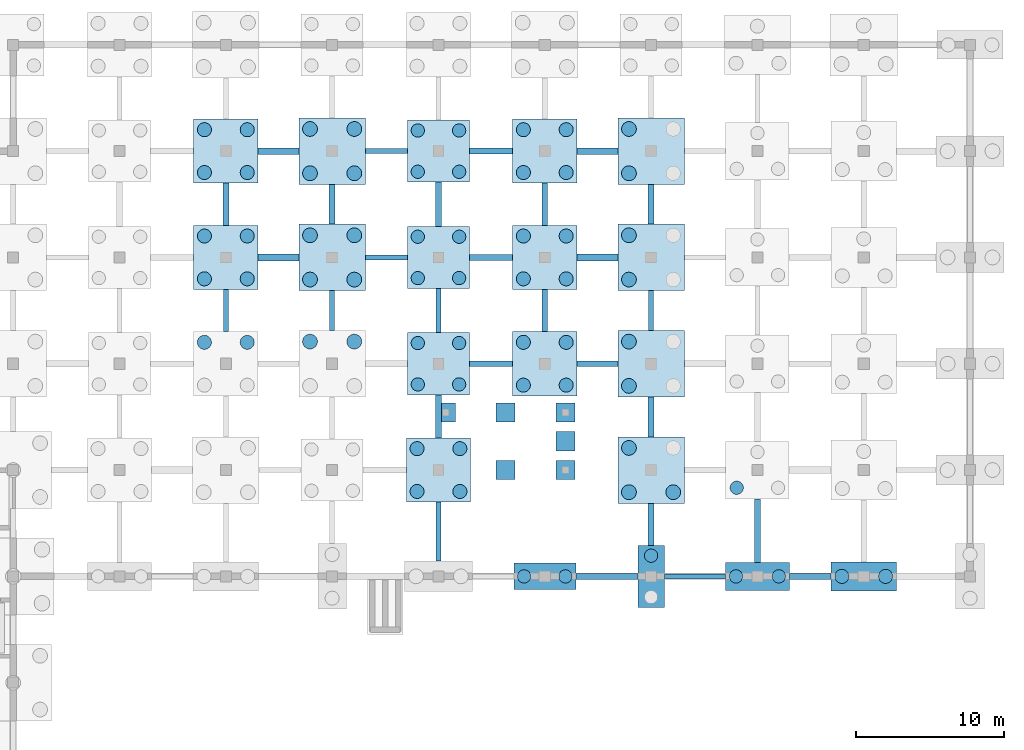
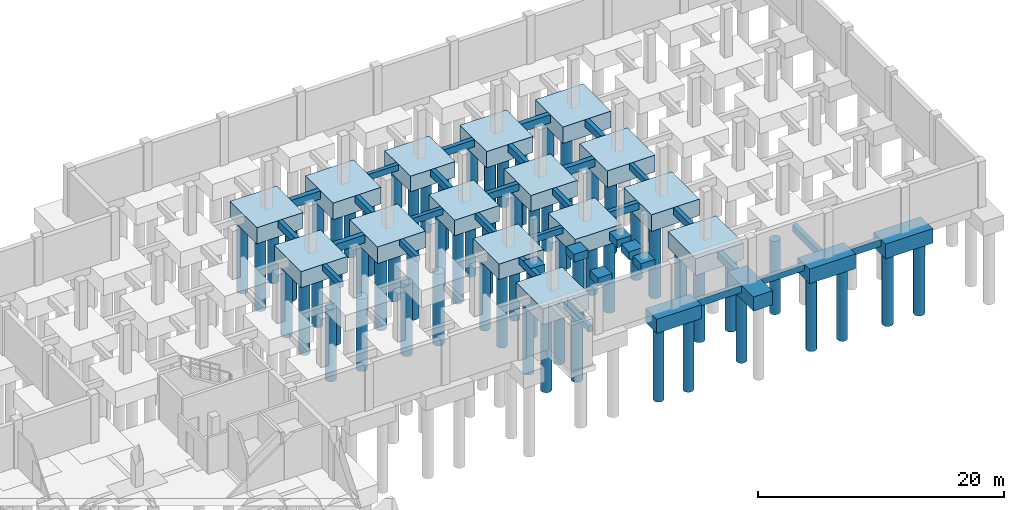
# One storey, part 14 of 35: 65 piles, 53 footings.
"""IFC4 building model written with IfcOpenShell, lengths in metres."""

from ifc_helpers import new_model, si_unit, direction, frame, origin, origin_2d, place, context, subcontext, project, spatial, rectangle, circle, extrude, material, material_profile, profile_set, type_object, element, save


model = new_model("IFC4")

# Units and contexts
model_context = context("Model", 3, precision=1e-05, world=origin(), true_north=direction((0.0, 1.0)))
body_context = subcontext(model_context, "Body", "Model", "MODEL_VIEW")
ifc_project = project(units=[si_unit("LENGTHUNIT", "METRE"), si_unit("AREAUNIT", "SQUARE_METRE"), si_unit("VOLUMEUNIT", "CUBIC_METRE"), si_unit("PLANEANGLEUNIT", "RADIAN"), si_unit("MASSUNIT", "GRAM", prefix="KILO"), si_unit("THERMODYNAMICTEMPERATUREUNIT", "KELVIN"), si_unit("POWERUNIT", "WATT")], contexts=[model_context])

# Site, building, storey
site_placement = place(None, origin())
site = spatial("IfcSite", under=ifc_project, at=site_placement, CompositionType="ELEMENT")
building_placement = place(site_placement, origin())
building = spatial("IfcBuilding", under=site, at=building_placement, Name="Kaldorven Railside Theatre", CompositionType="ELEMENT")
storey_placement = place(building_placement, frame((0.0, 0.0, -4.800048828125)))
storey = spatial("IfcBuildingStorey", under=building, at=storey_placement, Name="B1", CompositionType="ELEMENT", Elevation=-4.800048828125)

# Footings
ifc_material_1 = material(Name="Concrete C40/50", Category="concrete")
ifc_material_profile_1 = material_profile(ifc_material_1, rectangle(XDim=0.449951171875, YDim=0.800048828125, at=origin_2d()), Name="RC 450x800")
ifc_profile_set_1 = profile_set([ifc_material_profile_1], Name="Concrete C40/50")
footing_type_1 = type_object("IfcFootingType", Name="FTG-GB01", PredefinedType="FOOTING_BEAM", material=ifc_profile_set_1)
footing_1_placement = place(storey_placement, frame((139.77490234375, 127.199951171875, -0.39990234375), z_axis=(1.0, 0.0, 0.0), x_axis=(0.0, 1.0, 0.0)))
element("IfcFooting", 1, at=footing_1_placement, inside=storey, type_object=footing_type_1, Name="Foundation Tie Beam GB-423", PredefinedType="FOOTING_BEAM", context=body_context, shape_type="SweptSolid", body=[
    extrude(rectangle(XDim=0.449951171875, YDim=0.800048828125, at=origin_2d()), origin(), (0.0, 0.0, 1.0), 2.775146484375),
])
footing_2_placement = place(storey_placement, frame((161.375, 127.199951171875, -0.39990234375), z_axis=(1.0, 0.0, 0.0), x_axis=(0.0, 1.0, 0.0)))
element("IfcFooting", 2, at=footing_2_placement, inside=storey, type_object=footing_type_1, Name="Foundation Tie Beam GB-429", PredefinedType="FOOTING_BEAM", context=body_context, shape_type="SweptSolid", body=[
    extrude(rectangle(XDim=0.449951171875, YDim=0.800048828125, at=origin_2d()), origin(), (0.0, 0.0, 1.0), 2.77490234375),
])
footing_3_placement = place(storey_placement, frame((139.77490234375, 134.39990234375, -0.39990234375), z_axis=(1.0, 0.0, 0.0), x_axis=(0.0, 1.0, 0.0)))
element("IfcFooting", 3, at=footing_3_placement, inside=storey, type_object=footing_type_1, Name="Foundation Tie Beam GB-444", PredefinedType="FOOTING_BEAM", context=body_context, shape_type="SweptSolid", body=[
    extrude(rectangle(XDim=0.449951171875, YDim=0.800048828125, at=origin_2d()), origin(), (0.0, 0.0, 1.0), 2.775146484375),
])
footing_4_placement = place(storey_placement, frame((161.375, 134.39990234375, -0.39990234375), z_axis=(1.0, 0.0, 0.0), x_axis=(0.0, 1.0, 0.0)))
element("IfcFooting", 4, at=footing_4_placement, inside=storey, type_object=footing_type_1, Name="Foundation Tie Beam GB-450", PredefinedType="FOOTING_BEAM", context=body_context, shape_type="SweptSolid", body=[
    extrude(rectangle(XDim=0.449951171875, YDim=0.800048828125, at=origin_2d()), origin(), (0.0, 0.0, 1.0), 2.77490234375),
])
ifc_material_profile_2 = material_profile(ifc_material_1, rectangle(XDim=0.39990234375, YDim=0.699951171875, at=origin_2d()), Name="RC 400x700")
ifc_profile_set_2 = profile_set([ifc_material_profile_2], Name="Concrete C40/50")
footing_type_2 = type_object("IfcFootingType", Name="FTG-GB02", PredefinedType="FOOTING_BEAM", material=ifc_profile_set_2)
footing_5_placement = place(storey_placement, frame((161.300048828125, 105.60009765625, -0.349853515625), z_axis=(1.0, 0.0, 0.0), x_axis=(0.0, 1.0, 0.0)))
element("IfcFooting", 5, at=footing_5_placement, inside=storey, type_object=footing_type_2, Name="Foundation Tie Beam GB-364", PredefinedType="FOOTING_BEAM", context=body_context, shape_type="SweptSolid", body=[
    extrude(rectangle(XDim=0.39990234375, YDim=0.699951171875, at=origin_2d()), origin(), (0.0, 0.0, 1.0), 4.199951171875),
])
footing_6_placement = place(storey_placement, frame((166.39990234375, 107.699951171875, -0.349853515625), z_axis=(0.0, 1.0, 0.0), x_axis=(-1.0, 0.0, 0.0)))
element("IfcFooting", 6, at=footing_6_placement, inside=storey, type_object=footing_type_2, Name="Foundation Tie Beam GB-366", PredefinedType="FOOTING_BEAM", context=body_context, shape_type="SweptSolid", body=[
    extrude(rectangle(XDim=0.39990234375, YDim=0.699951171875, at=origin_2d()), origin(), (0.0, 0.0, 1.0), 2.85009765625),
])
footing_7_placement = place(storey_placement, frame((175.77490234375, 105.60009765625, -0.349853515625), z_axis=(1.0, 0.0, 0.0), x_axis=(0.0, 1.0, 0.0)))
element("IfcFooting", 7, at=footing_7_placement, inside=storey, type_object=footing_type_2, Name="Foundation Tie Beam GB-367", PredefinedType="FOOTING_BEAM", context=body_context, shape_type="SweptSolid", body=[
    extrude(rectangle(XDim=0.39990234375, YDim=0.699951171875, at=origin_2d()), origin(), (0.0, 0.0, 1.0), 2.800048828125),
])
footing_8_placement = place(storey_placement, frame((173.60009765625, 106.550048828125, -0.349853515625), z_axis=(0.0, 1.0, 0.0), x_axis=(-1.0, 0.0, 0.0)))
element("IfcFooting", 8, at=footing_8_placement, inside=storey, type_object=footing_type_2, Name="Foundation Tie Beam GB-368", PredefinedType="FOOTING_BEAM", context=body_context, shape_type="SweptSolid", body=[
    extrude(rectangle(XDim=0.39990234375, YDim=0.699951171875, at=origin_2d()), origin(), (0.0, 0.0, 1.0), 4.300048828125),
])
footing_9_placement = place(storey_placement, frame((152.0, 114.97509765625, -0.349853515625), z_axis=(0.0, 1.0, 0.0), x_axis=(-1.0, 0.0, 0.0)))
element("IfcFooting", 9, at=footing_9_placement, inside=storey, type_object=footing_type_2, Name="Foundation Tie Beam GB-384", PredefinedType="FOOTING_BEAM", context=body_context, shape_type="SweptSolid", body=[
    extrude(rectangle(XDim=0.39990234375, YDim=0.699951171875, at=origin_2d()), origin(), (0.0, 0.0, 1.0), 2.9248046875),
])
footing_10_placement = place(storey_placement, frame((166.39990234375, 115.050048828125, -0.349853515625), z_axis=(0.0, 1.0, 0.0), x_axis=(-1.0, 0.0, 0.0)))
element("IfcFooting", 10, at=footing_10_placement, inside=storey, type_object=footing_type_2, Name="Foundation Tie Beam GB-386", PredefinedType="FOOTING_BEAM", context=body_context, shape_type="SweptSolid", body=[
    extrude(rectangle(XDim=0.39990234375, YDim=0.699951171875, at=origin_2d()), origin(), (0.0, 0.0, 1.0), 2.699951171875),
])
footing_11_placement = place(storey_placement, frame((161.375, 120.0, -0.349853515625), z_axis=(1.0, 0.0, 0.0), x_axis=(0.0, 1.0, 0.0)))
element("IfcFooting", 11, at=footing_11_placement, inside=storey, type_object=footing_type_2, Name="Foundation Tie Beam GB-406", PredefinedType="FOOTING_BEAM", context=body_context, shape_type="SweptSolid", body=[
    extrude(rectangle(XDim=0.39990234375, YDim=0.699951171875, at=origin_2d()), origin(), (0.0, 0.0, 1.0), 2.77490234375),
])
footing_12_placement = place(storey_placement, frame((137.60009765625, 129.375, -0.349853515625), z_axis=(0.0, 1.0, 0.0), x_axis=(-1.0, 0.0, 0.0)))
element("IfcFooting", 12, at=footing_12_placement, inside=storey, type_object=footing_type_2, Name="Foundation Tie Beam GB-424", PredefinedType="FOOTING_BEAM", context=body_context, shape_type="SweptSolid", body=[
    extrude(rectangle(XDim=0.39990234375, YDim=0.699951171875, at=origin_2d()), origin(), (0.0, 0.0, 1.0), 2.85009765625),
])
footing_13_placement = place(storey_placement, frame((144.800048828125, 129.449951171875, -0.349853515625), z_axis=(0.0, 1.0, 0.0), x_axis=(-1.0, 0.0, 0.0)))
element("IfcFooting", 13, at=footing_13_placement, inside=storey, type_object=footing_type_2, Name="Foundation Tie Beam GB-426", PredefinedType="FOOTING_BEAM", context=body_context, shape_type="SweptSolid", body=[
    extrude(rectangle(XDim=0.39990234375, YDim=0.699951171875, at=origin_2d()), origin(), (0.0, 0.0, 1.0), 2.699951171875),
])
footing_14_placement = place(storey_placement, frame((154.10009765625, 127.199951171875, -0.349853515625), z_axis=(1.0, 0.0, 0.0), x_axis=(0.0, 1.0, 0.0)))
element("IfcFooting", 14, at=footing_14_placement, inside=storey, type_object=footing_type_2, Name="Foundation Tie Beam GB-427", PredefinedType="FOOTING_BEAM", context=body_context, shape_type="SweptSolid", body=[
    extrude(rectangle(XDim=0.39990234375, YDim=0.699951171875, at=origin_2d()), origin(), (0.0, 0.0, 1.0), 2.9248046875),
])
footing_15_placement = place(storey_placement, frame((152.0, 129.300048828125, -0.349853515625), z_axis=(0.0, 1.0, 0.0), x_axis=(-1.0, 0.0, 0.0)))
element("IfcFooting", 15, at=footing_15_placement, inside=storey, type_object=footing_type_2, Name="Foundation Tie Beam GB-428", PredefinedType="FOOTING_BEAM", context=body_context, shape_type="SweptSolid", body=[
    extrude(rectangle(XDim=0.39990234375, YDim=0.699951171875, at=origin_2d()), origin(), (0.0, 0.0, 1.0), 3.0),
])
footing_16_placement = place(storey_placement, frame((159.199951171875, 129.375, -0.349853515625), z_axis=(0.0, 1.0, 0.0), x_axis=(-1.0, 0.0, 0.0)))
element("IfcFooting", 16, at=footing_16_placement, inside=storey, type_object=footing_type_2, Name="Foundation Tie Beam GB-430", PredefinedType="FOOTING_BEAM", context=body_context, shape_type="SweptSolid", body=[
    extrude(rectangle(XDim=0.39990234375, YDim=0.699951171875, at=origin_2d()), origin(), (0.0, 0.0, 1.0), 2.85009765625),
])
footing_17_placement = place(storey_placement, frame((166.39990234375, 129.449951171875, -0.349853515625), z_axis=(0.0, 1.0, 0.0), x_axis=(-1.0, 0.0, 0.0)))
element("IfcFooting", 17, at=footing_17_placement, inside=storey, type_object=footing_type_2, Name="Foundation Tie Beam GB-432", PredefinedType="FOOTING_BEAM", context=body_context, shape_type="SweptSolid", body=[
    extrude(rectangle(XDim=0.39990234375, YDim=0.699951171875, at=origin_2d()), origin(), (0.0, 0.0, 1.0), 2.699951171875),
])
footing_18_placement = place(storey_placement, frame((154.10009765625, 134.39990234375, -0.349853515625), z_axis=(1.0, 0.0, 0.0), x_axis=(0.0, 1.0, 0.0)))
element("IfcFooting", 18, at=footing_18_placement, inside=storey, type_object=footing_type_2, Name="Foundation Tie Beam GB-448", PredefinedType="FOOTING_BEAM", context=body_context, shape_type="SweptSolid", body=[
    extrude(rectangle(XDim=0.39990234375, YDim=0.699951171875, at=origin_2d()), origin(), (0.0, 0.0, 1.0), 2.9248046875),
])
ifc_material_profile_3 = material_profile(ifc_material_1, rectangle(XDim=0.35009765625, YDim=0.60009765625, at=origin_2d()), Name="RC 350x600")
ifc_profile_set_3 = profile_set([ifc_material_profile_3], Name="Concrete C40/50")
footing_type_3 = type_object("IfcFootingType", Name="FTG-GB03", PredefinedType="FOOTING_BEAM", material=ifc_profile_set_3)
footing_19_placement = place(storey_placement, frame((152.0, 106.625, -0.300048828125), z_axis=(0.0, 1.0, 0.0), x_axis=(-1.0, 0.0, 0.0)))
element("IfcFooting", 19, at=footing_19_placement, inside=storey, type_object=footing_type_3, Name="Foundation Tie Beam GB-363", PredefinedType="FOOTING_BEAM", context=body_context, shape_type="SweptSolid", body=[
    extrude(rectangle(XDim=0.35009765625, YDim=0.60009765625, at=origin_2d()), origin(), (0.0, 0.0, 1.0), 4.0),
])
footing_20_placement = place(storey_placement, frame((167.300048828125, 105.60009765625, -0.300048828125), z_axis=(1.0, 0.0, 0.0), x_axis=(0.0, 1.0, 0.0)))
element("IfcFooting", 20, at=footing_20_placement, inside=storey, type_object=footing_type_3, Name="Foundation Tie Beam GB-365", PredefinedType="FOOTING_BEAM", context=body_context, shape_type="SweptSolid", body=[
    extrude(rectangle(XDim=0.35009765625, YDim=0.60009765625, at=origin_2d()), origin(), (0.0, 0.0, 1.0), 4.125),
])
footing_21_placement = place(storey_placement, frame((137.60009765625, 122.175048828125, -0.300048828125), z_axis=(0.0, 1.0, 0.0), x_axis=(-1.0, 0.0, 0.0)))
element("IfcFooting", 21, at=footing_21_placement, inside=storey, type_object=footing_type_3, Name="Foundation Tie Beam GB-401", PredefinedType="FOOTING_BEAM", context=body_context, shape_type="SweptSolid", body=[
    extrude(rectangle(XDim=0.35009765625, YDim=0.60009765625, at=origin_2d()), origin(), (0.0, 0.0, 1.0), 2.849853515625),
])
footing_22_placement = place(storey_placement, frame((144.800048828125, 122.25, -0.300048828125), z_axis=(0.0, 1.0, 0.0), x_axis=(-1.0, 0.0, 0.0)))
element("IfcFooting", 22, at=footing_22_placement, inside=storey, type_object=footing_type_3, Name="Foundation Tie Beam GB-403", PredefinedType="FOOTING_BEAM", context=body_context, shape_type="SweptSolid", body=[
    extrude(rectangle(XDim=0.35009765625, YDim=0.60009765625, at=origin_2d()), origin(), (0.0, 0.0, 1.0), 2.699951171875),
])
footing_23_placement = place(storey_placement, frame((154.10009765625, 120.0, -0.300048828125), z_axis=(1.0, 0.0, 0.0), x_axis=(0.0, 1.0, 0.0)))
element("IfcFooting", 23, at=footing_23_placement, inside=storey, type_object=footing_type_3, Name="Foundation Tie Beam GB-404", PredefinedType="FOOTING_BEAM", context=body_context, shape_type="SweptSolid", body=[
    extrude(rectangle(XDim=0.35009765625, YDim=0.60009765625, at=origin_2d()), origin(), (0.0, 0.0, 1.0), 2.9248046875),
])
footing_24_placement = place(storey_placement, frame((152.0, 122.10009765625, -0.300048828125), z_axis=(0.0, 1.0, 0.0), x_axis=(-1.0, 0.0, 0.0)))
element("IfcFooting", 24, at=footing_24_placement, inside=storey, type_object=footing_type_3, Name="Foundation Tie Beam GB-405", PredefinedType="FOOTING_BEAM", context=body_context, shape_type="SweptSolid", body=[
    extrude(rectangle(XDim=0.35009765625, YDim=0.60009765625, at=origin_2d()), origin(), (0.0, 0.0, 1.0), 3.0),
])
footing_25_placement = place(storey_placement, frame((159.199951171875, 122.175048828125, -0.300048828125), z_axis=(0.0, 1.0, 0.0), x_axis=(-1.0, 0.0, 0.0)))
element("IfcFooting", 25, at=footing_25_placement, inside=storey, type_object=footing_type_3, Name="Foundation Tie Beam GB-407", PredefinedType="FOOTING_BEAM", context=body_context, shape_type="SweptSolid", body=[
    extrude(rectangle(XDim=0.35009765625, YDim=0.60009765625, at=origin_2d()), origin(), (0.0, 0.0, 1.0), 2.849853515625),
])
footing_26_placement = place(storey_placement, frame((166.39990234375, 122.25, -0.300048828125), z_axis=(0.0, 1.0, 0.0), x_axis=(-1.0, 0.0, 0.0)))
element("IfcFooting", 26, at=footing_26_placement, inside=storey, type_object=footing_type_3, Name="Foundation Tie Beam GB-409", PredefinedType="FOOTING_BEAM", context=body_context, shape_type="SweptSolid", body=[
    extrude(rectangle(XDim=0.35009765625, YDim=0.60009765625, at=origin_2d()), origin(), (0.0, 0.0, 1.0), 2.699951171875),
])
for number, where, z_axis, x_axis, name in (
    (27, (147.050048828125, 127.199951171875, -0.300048828125), (1.0, 0.0, 0.0), (0.0, 1.0, 0.0), "Foundation Tie Beam GB-425"),
    (28, (147.050048828125, 134.39990234375, -0.300048828125), (1.0, 0.0, 0.0), (0.0, 1.0, 0.0), "Foundation Tie Beam GB-446"),
):
    element("IfcFooting", number, at=place(storey_placement, frame(where, z_axis=z_axis, x_axis=x_axis)), inside=storey, type_object=footing_type_3, Name=name, PredefinedType="FOOTING_BEAM", context=body_context, shape_type="SweptSolid", body=[
        extrude(rectangle(XDim=0.35009765625, YDim=0.60009765625, at=origin_2d()), origin(), (0.0, 0.0, 1.0), 2.849853515625),
    ])
footing_type_4 = type_object("IfcFootingType", Name="FTG-PC03", PredefinedType="PILE_CAP", material=ifc_material_1)
footing_27_placement = place(storey_placement, frame((159.199951171875, 105.60009765625, -1.39990234375), z_axis=(0.0, 0.0, 1.0), x_axis=(1.0, 0.0, 0.0)))
element("IfcFooting", 29, at=footing_27_placement, inside=storey, type_object=footing_type_4, Name="Reinforced Concrete Pile Cap FC-204", PredefinedType="PILE_CAP", context=body_context, shape_type="SweptSolid", body=[
    extrude(rectangle(XDim=4.199951171875, YDim=1.800048828125, at=origin_2d()), origin(), (0.0, 0.0, 1.0), 1.39990234375),
])
footing_type_5 = type_object("IfcFootingType", Name="FTG-PC04", PredefinedType="PILE_CAP", material=ifc_material_1)
footing_28_placement = place(storey_placement, frame((166.39990234375, 105.60009765625, -1.39990234375), z_axis=(0.0, 0.0, 1.0), x_axis=(1.0, 0.0, 0.0)))
element("IfcFooting", 30, at=footing_28_placement, inside=storey, type_object=footing_type_5, Name="Reinforced Concrete Pile Cap FC-205", PredefinedType="PILE_CAP", context=body_context, shape_type="SweptSolid", body=[
    extrude(rectangle(XDim=1.800048828125, YDim=4.199951171875, at=origin_2d()), origin(), (0.0, 0.0, 1.0), 1.39990234375),
])
footing_type_6 = type_object("IfcFootingType", Name="FTG-PC05", PredefinedType="PILE_CAP", material=ifc_material_1)
footing_29_placement = place(storey_placement, frame((173.60009765625, 105.60009765625, -1.44970703125), z_axis=(0.0, 0.0, 1.0), x_axis=(1.0, 0.0, 0.0)))
element("IfcFooting", 31, at=footing_29_placement, inside=storey, type_object=footing_type_6, Name="Reinforced Concrete Pile Cap FC-206", PredefinedType="PILE_CAP", context=body_context, shape_type="SweptSolid", body=[
    extrude(rectangle(XDim=4.35009765625, YDim=1.89990234375, at=origin_2d()), origin(), (0.0, 0.0, 1.0), 1.449951171875),
])
footing_type_7 = type_object("IfcFootingType", Name="FTG-PC06", PredefinedType="PILE_CAP", material=ifc_material_1)
footing_30_placement = place(storey_placement, frame((180.800048828125, 105.60009765625, -1.44970703125), z_axis=(0.0, 0.0, 1.0), x_axis=(1.0, 0.0, 0.0)))
element("IfcFooting", 32, at=footing_30_placement, inside=storey, type_object=footing_type_7, Name="Reinforced Concrete Pile Cap FC-207", PredefinedType="PILE_CAP", context=body_context, shape_type="SweptSolid", body=[
    extrude(rectangle(XDim=4.449951171875, YDim=1.949951171875, at=origin_2d()), origin(), (0.0, 0.0, 1.0), 1.449951171875),
])
footing_type_8 = type_object("IfcFootingType", Name="FTG-PC12", PredefinedType="PILE_CAP", material=ifc_material_1)
for number, where, z_axis, x_axis, name in (
    (33, (152.0, 120.0, -1.5498046875), (0.0, 0.0, 1.0), (1.0, 0.0, 0.0), "Reinforced Concrete Pile Cap FC-228"),
    (34, (152.0, 127.199951171875, -1.5498046875), (0.0, 0.0, 1.0), (1.0, 0.0, 0.0), "Reinforced Concrete Pile Cap FC-240"),
    (35, (152.0, 134.39990234375, -1.5498046875), (0.0, 0.0, 1.0), (1.0, 0.0, 0.0), "Reinforced Concrete Pile Cap FC-252"),
):
    element("IfcFooting", number, at=place(storey_placement, frame(where, z_axis=z_axis, x_axis=x_axis)), inside=storey, type_object=footing_type_8, Name=name, PredefinedType="PILE_CAP", context=body_context, shape_type="SweptSolid", body=[
        extrude(rectangle(XDim=4.199951171875, YDim=4.199951171875, at=origin_2d()), origin(), (0.0, 0.0, 1.0), 1.550048828125),
    ])
footing_type_9 = type_object("IfcFootingType", Name="FTG-PC13", PredefinedType="PILE_CAP", material=ifc_material_1)
for number, where, z_axis, x_axis, name in (
    (36, (152.0, 112.800048828125, -1.60009765625), (0.0, 0.0, 1.0), (1.0, 0.0, 0.0), "Reinforced Concrete Pile Cap FC-217"),
    (37, (159.199951171875, 120.0, -1.60009765625), (0.0, 0.0, 1.0), (1.0, 0.0, 0.0), "Reinforced Concrete Pile Cap FC-229"),
    (38, (137.60009765625, 127.199951171875, -1.60009765625), (0.0, 0.0, 1.0), (1.0, 0.0, 0.0), "Reinforced Concrete Pile Cap FC-238"),
    (39, (159.199951171875, 127.199951171875, -1.60009765625), (0.0, 0.0, 1.0), (1.0, 0.0, 0.0), "Reinforced Concrete Pile Cap FC-241"),
    (40, (137.60009765625, 134.39990234375, -1.60009765625), (0.0, 0.0, 1.0), (1.0, 0.0, 0.0), "Reinforced Concrete Pile Cap FC-250"),
    (41, (159.199951171875, 134.39990234375, -1.60009765625), (0.0, 0.0, 1.0), (1.0, 0.0, 0.0), "Reinforced Concrete Pile Cap FC-253"),
):
    element("IfcFooting", number, at=place(storey_placement, frame(where, z_axis=z_axis, x_axis=x_axis)), inside=storey, type_object=footing_type_9, Name=name, PredefinedType="PILE_CAP", context=body_context, shape_type="SweptSolid", body=[
        extrude(rectangle(XDim=4.35009765625, YDim=4.35009765625, at=origin_2d()), origin(), (0.0, 0.0, 1.0), 1.60009765625),
    ])
footing_type_10 = type_object("IfcFootingType", Name="FTG-PC14", PredefinedType="PILE_CAP", material=ifc_material_1)
for number, where, z_axis, x_axis, name in (
    (42, (166.39990234375, 112.800048828125, -1.64990234375), (0.0, 0.0, 1.0), (1.0, 0.0, 0.0), "Reinforced Concrete Pile Cap FC-218"),
    (43, (166.39990234375, 120.0, -1.64990234375), (0.0, 0.0, 1.0), (1.0, 0.0, 0.0), "Reinforced Concrete Pile Cap FC-230"),
    (44, (144.800048828125, 127.199951171875, -1.64990234375), (0.0, 0.0, 1.0), (1.0, 0.0, 0.0), "Reinforced Concrete Pile Cap FC-239"),
    (45, (166.39990234375, 127.199951171875, -1.64990234375), (0.0, 0.0, 1.0), (1.0, 0.0, 0.0), "Reinforced Concrete Pile Cap FC-242"),
    (46, (144.800048828125, 134.39990234375, -1.64990234375), (0.0, 0.0, 1.0), (1.0, 0.0, 0.0), "Reinforced Concrete Pile Cap FC-251"),
    (47, (166.39990234375, 134.39990234375, -1.64990234375), (0.0, 0.0, 1.0), (1.0, 0.0, 0.0), "Reinforced Concrete Pile Cap FC-254"),
):
    element("IfcFooting", number, at=place(storey_placement, frame(where, z_axis=z_axis, x_axis=x_axis)), inside=storey, type_object=footing_type_10, Name=name, PredefinedType="PILE_CAP", context=body_context, shape_type="SweptSolid", body=[
        extrude(rectangle(XDim=4.5, YDim=4.5, at=origin_2d()), origin(), (0.0, 0.0, 1.0), 1.64990234375),
    ])
footing_type_11 = type_object("IfcFootingType", Name="FTG-SF01", PredefinedType="PAD_FOOTING", material=ifc_material_1)
for number, where, z_axis, x_axis, name in (
    (48, (160.60009765625, 112.800048828125, -0.7998046875), (0.0, 0.0, 1.0), (1.0, 0.0, 0.0), "Core ST-08 Foundation Pad SF-008"),
    (49, (160.60009765625, 116.699951171875, -0.7998046875), (0.0, 0.0, 1.0), (1.0, 0.0, 0.0), "Core ST-08 Foundation Pad SF-009"),
    (50, (152.5, 116.699951171875, -0.7998046875), (0.0, 0.0, 1.0), (1.0, 0.0, 0.0), "Core ST-08 Foundation Pad SF-010"),
    (51, (156.550048828125, 112.800048828125, -0.7998046875), (0.0, 0.0, 1.0), (1.0, 0.0, 0.0), "Core ST-08 Foundation Pad SF-011"),
    (52, (156.550048828125, 116.699951171875, -0.7998046875), (0.0, 0.0, 1.0), (1.0, 0.0, 0.0), "Core ST-08 Foundation Pad SF-012"),
    (53, (160.60009765625, 114.75, -0.7998046875), (0.0, 0.0, 1.0), (1.0, 0.0, 0.0), "Core ST-08 Foundation Pad SF-013"),
):
    element("IfcFooting", number, at=place(storey_placement, frame(where, z_axis=z_axis, x_axis=x_axis)), inside=storey, type_object=footing_type_11, Name=name, PredefinedType="PAD_FOOTING", context=body_context, shape_type="SweptSolid", body=[
        extrude(rectangle(XDim=1.300048828125, YDim=1.300048828125, at=origin_2d()), origin(), (0.0, 0.0, 1.0), 0.800048828125),
    ])

# Piles
ifc_material_2 = material(Name="Concrete C35/45", Category="concrete")
ifc_material_profile_4 = material_profile(ifc_material_2, circle(Radius=0.5, at=origin_2d()), Name="BP D1000")
ifc_profile_set_4 = profile_set([ifc_material_profile_4], Name="Concrete C35/45")
pile_type_1 = type_object("IfcPileType", Name="PIL-D1000", PredefinedType="BORED", material=ifc_profile_set_4)
for number, where, z_axis, x_axis, name in (
    (54, (164.89990234375, 111.300048828125, -1.550048828125), (0.0, 0.0, -1.0), (1.0, 0.0, 0.0), "Bored Bedrock Socket Pile BP-166-112-1"),
    (55, (167.89990234375, 111.300048828125, -1.550048828125), (0.0, 0.0, -1.0), (1.0, 0.0, 0.0), "Bored Bedrock Socket Pile BP-166-112-2"),
    (56, (164.89990234375, 114.300048828125, -1.550048828125), (0.0, 0.0, -1.0), (1.0, 0.0, 0.0), "Bored Bedrock Socket Pile BP-166-112-3"),
    (57, (143.300048828125, 121.5, -1.550048828125), (0.0, 0.0, -1.0), (1.0, 0.0, 0.0), "Bored Bedrock Socket Pile BP-144-120-3"),
    (58, (146.300048828125, 121.5, -1.550048828125), (0.0, 0.0, -1.0), (1.0, 0.0, 0.0), "Bored Bedrock Socket Pile BP-144-120-4"),
    (59, (164.89990234375, 118.5, -1.550048828125), (0.0, 0.0, -1.0), (1.0, 0.0, 0.0), "Bored Bedrock Socket Pile BP-166-120-1"),
    (60, (164.89990234375, 121.5, -1.550048828125), (0.0, 0.0, -1.0), (1.0, 0.0, 0.0), "Bored Bedrock Socket Pile BP-166-120-3"),
    (61, (143.300048828125, 125.699951171875, -1.550048828125), (0.0, 0.0, -1.0), (1.0, 0.0, 0.0), "Bored Bedrock Socket Pile BP-144-127-1"),
    (62, (146.300048828125, 125.699951171875, -1.550048828125), (0.0, 0.0, -1.0), (1.0, 0.0, 0.0), "Bored Bedrock Socket Pile BP-144-127-2"),
    (63, (143.300048828125, 128.699951171875, -1.550048828125), (0.0, 0.0, -1.0), (1.0, 0.0, 0.0), "Bored Bedrock Socket Pile BP-144-127-3"),
    (64, (146.300048828125, 128.699951171875, -1.550048828125), (0.0, 0.0, -1.0), (1.0, 0.0, 0.0), "Bored Bedrock Socket Pile BP-144-127-4"),
    (65, (164.89990234375, 125.699951171875, -1.550048828125), (0.0, 0.0, -1.0), (1.0, 0.0, 0.0), "Bored Bedrock Socket Pile BP-166-127-1"),
    (66, (164.89990234375, 128.699951171875, -1.550048828125), (0.0, 0.0, -1.0), (1.0, 0.0, 0.0), "Bored Bedrock Socket Pile BP-166-127-3"),
    (67, (143.300048828125, 132.89990234375, -1.550048828125), (0.0, 0.0, -1.0), (1.0, 0.0, 0.0), "Bored Bedrock Socket Pile BP-144-134-1"),
    (68, (146.300048828125, 132.89990234375, -1.550048828125), (0.0, 0.0, -1.0), (1.0, 0.0, 0.0), "Bored Bedrock Socket Pile BP-144-134-2"),
    (69, (143.300048828125, 135.89990234375, -1.550048828125), (0.0, 0.0, -1.0), (1.0, 0.0, 0.0), "Bored Bedrock Socket Pile BP-144-134-3"),
    (70, (146.300048828125, 135.89990234375, -1.550048828125), (0.0, 0.0, -1.0), (1.0, 0.0, 0.0), "Bored Bedrock Socket Pile BP-144-134-4"),
    (71, (164.89990234375, 132.89990234375, -1.550048828125), (0.0, 0.0, -1.0), (1.0, 0.0, 0.0), "Bored Bedrock Socket Pile BP-166-134-1"),
    (72, (164.89990234375, 135.89990234375, -1.550048828125), (0.0, 0.0, -1.0), (1.0, 0.0, 0.0), "Bored Bedrock Socket Pile BP-166-134-3"),
):
    element("IfcPile", number, at=place(storey_placement, frame(where, z_axis=z_axis, x_axis=x_axis)), inside=storey, type_object=pile_type_1, Name=name, PredefinedType="BORED", context=body_context, shape_type="SweptSolid", body=[
        extrude(circle(Radius=0.5, at=origin_2d()), origin(), (0.0, 0.0, 1.0), 7.14990234375),
    ])
ifc_material_profile_5 = material_profile(ifc_material_2, circle(Radius=0.449951171875, at=origin_2d()), Name="BP D900")
ifc_profile_set_5 = profile_set([ifc_material_profile_5], Name="Concrete C35/45")
pile_type_2 = type_object("IfcPileType", Name="PIL-D900", PredefinedType="BORED", material=ifc_profile_set_5)
for number, where, z_axis, x_axis, name in (
    (73, (157.800048828125, 105.60009765625, -1.300048828125), (0.0, 0.0, -1.0), (1.0, 0.0, 0.0), "Bored Bedrock Socket Pile BP-159-105-1"),
    (74, (160.60009765625, 105.60009765625, -1.300048828125), (0.0, 0.0, -1.0), (1.0, 0.0, 0.0), "Bored Bedrock Socket Pile BP-159-105-2"),
    (75, (166.39990234375, 107.0, -1.300048828125), (0.0, 0.0, -1.0), (1.0, 0.0, 0.0), "Bored Bedrock Socket Pile BP-166-105-2"),
):
    element("IfcPile", number, at=place(storey_placement, frame(where, z_axis=z_axis, x_axis=x_axis)), inside=storey, type_object=pile_type_2, Name=name, PredefinedType="BORED", context=body_context, shape_type="SweptSolid", body=[
        extrude(circle(Radius=0.449951171875, at=origin_2d()), origin(), (0.0, 0.0, 1.0), 7.39990234375),
    ])
for number, where, z_axis, x_axis, name in (
    (76, (172.14990234375, 105.60009765625, -1.349853515625), (0.0, 0.0, -1.0), (1.0, 0.0, 0.0), "Bored Bedrock Socket Pile BP-173-105-1"),
    (77, (175.050048828125, 105.60009765625, -1.349853515625), (0.0, 0.0, -1.0), (1.0, 0.0, 0.0), "Bored Bedrock Socket Pile BP-173-105-2"),
):
    element("IfcPile", number, at=place(storey_placement, frame(where, z_axis=z_axis, x_axis=x_axis)), inside=storey, type_object=pile_type_2, Name=name, PredefinedType="BORED", context=body_context, shape_type="SweptSolid", body=[
        extrude(circle(Radius=0.449951171875, at=origin_2d()), origin(), (0.0, 0.0, 1.0), 7.35009765625),
    ])
pile_placement = place(storey_placement, frame((172.199951171875, 111.60009765625, -1.39990234375), z_axis=(0.0, 0.0, -1.0), x_axis=(1.0, 0.0, 0.0)))
element("IfcPile", 78, at=pile_placement, inside=storey, type_object=pile_type_2, Name="Bored Bedrock Socket Pile BP-173-112-1", PredefinedType="BORED", context=body_context, shape_type="SweptSolid", body=[
    extrude(circle(Radius=0.449951171875, at=origin_2d()), origin(), (0.0, 0.0, 1.0), 7.300048828125),
])
for number, where, z_axis, x_axis, name in (
    (79, (150.60009765625, 118.60009765625, -1.449951171875), (0.0, 0.0, -1.0), (1.0, 0.0, 0.0), "Bored Bedrock Socket Pile BP-152-120-1"),
    (80, (153.39990234375, 118.60009765625, -1.449951171875), (0.0, 0.0, -1.0), (1.0, 0.0, 0.0), "Bored Bedrock Socket Pile BP-152-120-2"),
    (81, (150.60009765625, 121.39990234375, -1.449951171875), (0.0, 0.0, -1.0), (1.0, 0.0, 0.0), "Bored Bedrock Socket Pile BP-152-120-3"),
    (82, (153.39990234375, 121.39990234375, -1.449951171875), (0.0, 0.0, -1.0), (1.0, 0.0, 0.0), "Bored Bedrock Socket Pile BP-152-120-4"),
    (83, (150.60009765625, 125.800048828125, -1.449951171875), (0.0, 0.0, -1.0), (1.0, 0.0, 0.0), "Bored Bedrock Socket Pile BP-152-127-1"),
    (84, (153.39990234375, 125.800048828125, -1.449951171875), (0.0, 0.0, -1.0), (1.0, 0.0, 0.0), "Bored Bedrock Socket Pile BP-152-127-2"),
    (85, (150.60009765625, 128.60009765625, -1.449951171875), (0.0, 0.0, -1.0), (1.0, 0.0, 0.0), "Bored Bedrock Socket Pile BP-152-127-3"),
    (86, (153.39990234375, 128.60009765625, -1.449951171875), (0.0, 0.0, -1.0), (1.0, 0.0, 0.0), "Bored Bedrock Socket Pile BP-152-127-4"),
    (87, (150.60009765625, 133.0, -1.449951171875), (0.0, 0.0, -1.0), (1.0, 0.0, 0.0), "Bored Bedrock Socket Pile BP-152-134-1"),
    (88, (153.39990234375, 133.0, -1.449951171875), (0.0, 0.0, -1.0), (1.0, 0.0, 0.0), "Bored Bedrock Socket Pile BP-152-134-2"),
    (89, (150.60009765625, 135.800048828125, -1.449951171875), (0.0, 0.0, -1.0), (1.0, 0.0, 0.0), "Bored Bedrock Socket Pile BP-152-134-3"),
    (90, (153.39990234375, 135.800048828125, -1.449951171875), (0.0, 0.0, -1.0), (1.0, 0.0, 0.0), "Bored Bedrock Socket Pile BP-152-134-4"),
):
    element("IfcPile", number, at=place(storey_placement, frame(where, z_axis=z_axis, x_axis=x_axis)), inside=storey, type_object=pile_type_2, Name=name, PredefinedType="BORED", context=body_context, shape_type="SweptSolid", body=[
        extrude(circle(Radius=0.449951171875, at=origin_2d()), origin(), (0.0, 0.0, 1.0), 7.25),
    ])
ifc_material_profile_6 = material_profile(ifc_material_2, circle(Radius=0.47509765625, at=origin_2d()), Name="BP D950")
ifc_profile_set_6 = profile_set([ifc_material_profile_6], Name="Concrete C35/45")
pile_type_3 = type_object("IfcPileType", Name="PIL-D950", PredefinedType="BORED", material=ifc_profile_set_6)
for number, where, z_axis, x_axis, name in (
    (91, (179.320068359375, 105.60009765625, -1.349853515625), (0.0, 0.0, -1.0), (1.0, 0.0, 0.0), "Bored Bedrock Socket Pile BP-180-105-1"),
    (92, (182.280029296875, 105.60009765625, -1.349853515625), (0.0, 0.0, -1.0), (1.0, 0.0, 0.0), "Bored Bedrock Socket Pile BP-180-105-2"),
):
    element("IfcPile", number, at=place(storey_placement, frame(where, z_axis=z_axis, x_axis=x_axis)), inside=storey, type_object=pile_type_3, Name=name, PredefinedType="BORED", context=body_context, shape_type="SweptSolid", body=[
        extrude(circle(Radius=0.47509765625, at=origin_2d()), origin(), (0.0, 0.0, 1.0), 7.35009765625),
    ])
for number, where, z_axis, x_axis, name in (
    (93, (150.550048828125, 111.35009765625, -1.5), (0.0, 0.0, -1.0), (1.0, 0.0, 0.0), "Bored Bedrock Socket Pile BP-152-112-1"),
    (94, (153.449951171875, 111.35009765625, -1.5), (0.0, 0.0, -1.0), (1.0, 0.0, 0.0), "Bored Bedrock Socket Pile BP-152-112-2"),
    (95, (150.550048828125, 114.25, -1.5), (0.0, 0.0, -1.0), (1.0, 0.0, 0.0), "Bored Bedrock Socket Pile BP-152-112-3"),
    (96, (153.449951171875, 114.25, -1.5), (0.0, 0.0, -1.0), (1.0, 0.0, 0.0), "Bored Bedrock Socket Pile BP-152-112-4"),
    (97, (136.14990234375, 121.449951171875, -1.5), (0.0, 0.0, -1.0), (1.0, 0.0, 0.0), "Bored Bedrock Socket Pile BP-137-120-3"),
    (98, (139.050048828125, 121.449951171875, -1.5), (0.0, 0.0, -1.0), (1.0, 0.0, 0.0), "Bored Bedrock Socket Pile BP-137-120-4"),
    (99, (157.75, 118.550048828125, -1.5), (0.0, 0.0, -1.0), (1.0, 0.0, 0.0), "Bored Bedrock Socket Pile BP-159-120-1"),
    (100, (160.64990234375, 118.550048828125, -1.5), (0.0, 0.0, -1.0), (1.0, 0.0, 0.0), "Bored Bedrock Socket Pile BP-159-120-2"),
    (101, (157.75, 121.449951171875, -1.5), (0.0, 0.0, -1.0), (1.0, 0.0, 0.0), "Bored Bedrock Socket Pile BP-159-120-3"),
    (102, (160.64990234375, 121.449951171875, -1.5), (0.0, 0.0, -1.0), (1.0, 0.0, 0.0), "Bored Bedrock Socket Pile BP-159-120-4"),
    (103, (136.14990234375, 125.75, -1.5), (0.0, 0.0, -1.0), (1.0, 0.0, 0.0), "Bored Bedrock Socket Pile BP-137-127-1"),
    (104, (139.050048828125, 125.75, -1.5), (0.0, 0.0, -1.0), (1.0, 0.0, 0.0), "Bored Bedrock Socket Pile BP-137-127-2"),
    (105, (136.14990234375, 128.64990234375, -1.5), (0.0, 0.0, -1.0), (1.0, 0.0, 0.0), "Bored Bedrock Socket Pile BP-137-127-3"),
    (106, (139.050048828125, 128.64990234375, -1.5), (0.0, 0.0, -1.0), (1.0, 0.0, 0.0), "Bored Bedrock Socket Pile BP-137-127-4"),
    (107, (157.75, 125.75, -1.5), (0.0, 0.0, -1.0), (1.0, 0.0, 0.0), "Bored Bedrock Socket Pile BP-159-127-1"),
    (108, (160.64990234375, 125.75, -1.5), (0.0, 0.0, -1.0), (1.0, 0.0, 0.0), "Bored Bedrock Socket Pile BP-159-127-2"),
    (109, (157.75, 128.64990234375, -1.5), (0.0, 0.0, -1.0), (1.0, 0.0, 0.0), "Bored Bedrock Socket Pile BP-159-127-3"),
    (110, (160.64990234375, 128.64990234375, -1.5), (0.0, 0.0, -1.0), (1.0, 0.0, 0.0), "Bored Bedrock Socket Pile BP-159-127-4"),
    (111, (136.14990234375, 132.949951171875, -1.5), (0.0, 0.0, -1.0), (1.0, 0.0, 0.0), "Bored Bedrock Socket Pile BP-137-134-1"),
    (112, (139.050048828125, 132.949951171875, -1.5), (0.0, 0.0, -1.0), (1.0, 0.0, 0.0), "Bored Bedrock Socket Pile BP-137-134-2"),
    (113, (136.14990234375, 135.85009765625, -1.5), (0.0, 0.0, -1.0), (1.0, 0.0, 0.0), "Bored Bedrock Socket Pile BP-137-134-3"),
    (114, (139.050048828125, 135.85009765625, -1.5), (0.0, 0.0, -1.0), (1.0, 0.0, 0.0), "Bored Bedrock Socket Pile BP-137-134-4"),
    (115, (157.75, 132.949951171875, -1.5), (0.0, 0.0, -1.0), (1.0, 0.0, 0.0), "Bored Bedrock Socket Pile BP-159-134-1"),
    (116, (160.64990234375, 132.949951171875, -1.5), (0.0, 0.0, -1.0), (1.0, 0.0, 0.0), "Bored Bedrock Socket Pile BP-159-134-2"),
    (117, (157.75, 135.85009765625, -1.5), (0.0, 0.0, -1.0), (1.0, 0.0, 0.0), "Bored Bedrock Socket Pile BP-159-134-3"),
    (118, (160.64990234375, 135.85009765625, -1.5), (0.0, 0.0, -1.0), (1.0, 0.0, 0.0), "Bored Bedrock Socket Pile BP-159-134-4"),
):
    element("IfcPile", number, at=place(storey_placement, frame(where, z_axis=z_axis, x_axis=x_axis)), inside=storey, type_object=pile_type_3, Name=name, PredefinedType="BORED", context=body_context, shape_type="SweptSolid", body=[
        extrude(circle(Radius=0.47509765625, at=origin_2d()), origin(), (0.0, 0.0, 1.0), 7.199951171875),
    ])

save(model, "model.ifc")
